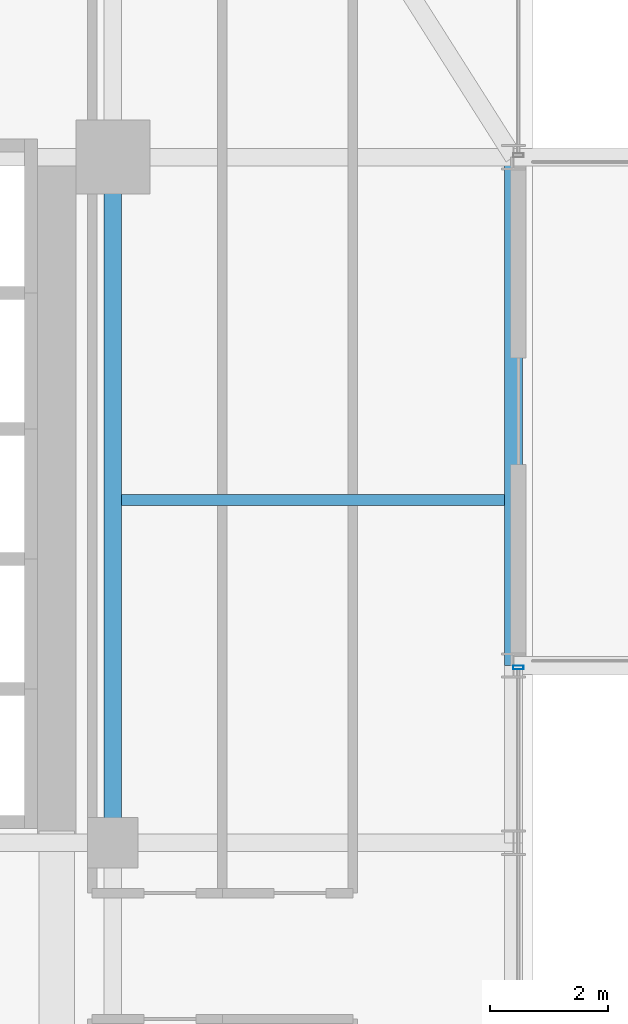
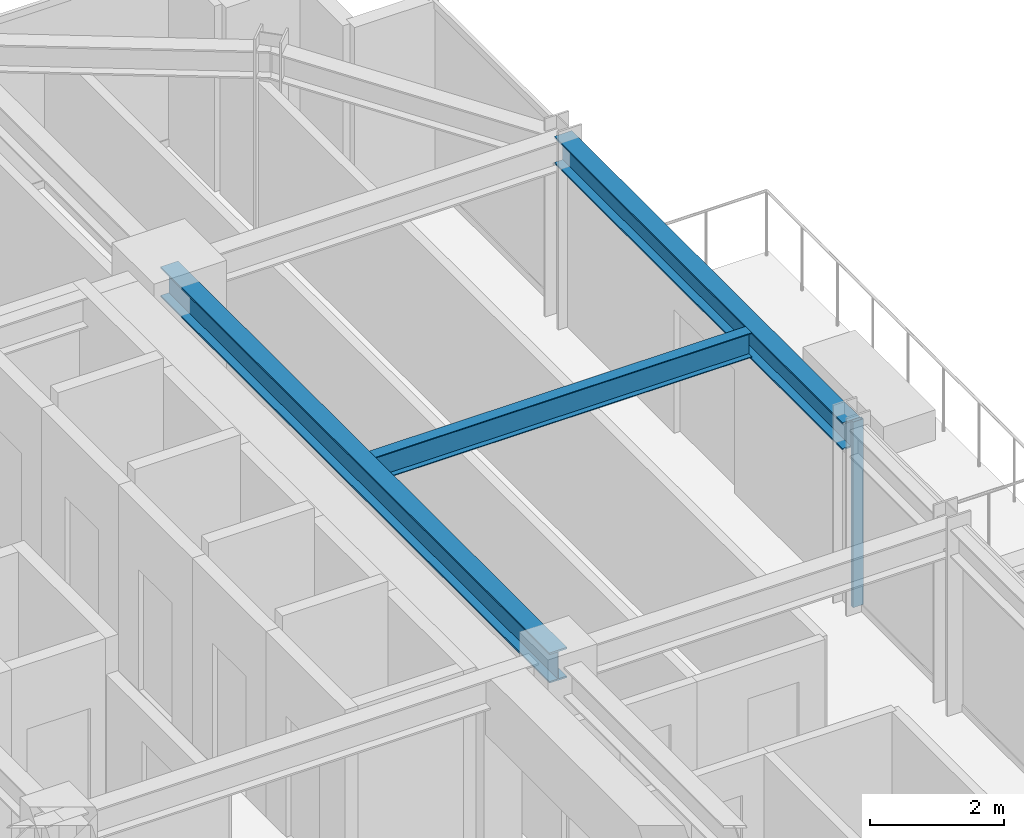
# One storey, part 22 of 33: 3 beams, 1 member, 1 element without a shape of its own.
"""IFC4 building model written with IfcOpenShell, lengths in metres."""

from ifc_helpers import new_model, si_unit, direction, frame, origin, origin_2d, place, context, subcontext, project, spatial, hollow_rectangle, i_section, extrude, source, transform, mapped, material, material_profile, profile_set, type_object, element, aggregate, save


model = new_model("IFC4")

# Units and contexts
model_context = context("Model", 3, precision=1e-05, world=origin(), true_north=direction((0.0, 1.0)))
body_context = subcontext(model_context, "Body", "Model", "MODEL_VIEW")
ifc_project = project(units=[si_unit("LENGTHUNIT", "METRE"), si_unit("AREAUNIT", "SQUARE_METRE"), si_unit("VOLUMEUNIT", "CUBIC_METRE"), si_unit("PLANEANGLEUNIT", "RADIAN"), si_unit("MASSUNIT", "GRAM", prefix="KILO")], contexts=[model_context])

# Site, building, storey
site_placement = place(None, origin())
site = spatial("IfcSite", under=ifc_project, at=site_placement, CompositionType="ELEMENT")
building_placement = place(site_placement, origin())
building = spatial("IfcBuilding", under=site, at=building_placement, Name="Nahalor Promenade Grand Hotel", CompositionType="ELEMENT")
storey_placement = place(building_placement, frame((0.0, 0.0, 132.10009765625)))
storey = spatial("IfcBuildingStorey", under=building, at=storey_placement, Name="L33", CompositionType="ELEMENT", Elevation=132.10009765625)

# Beams
ifc_material_1 = material(Name="Steel S355JR", Category="steel")
ifc_material_profile_1 = material_profile(ifc_material_1, i_section(OverallWidth=0.3, OverallDepth=0.5, WebThickness=0.0145, FlangeThickness=0.028, at=origin_2d()), Name="HEB 500")
ifc_profile_set_1 = profile_set([ifc_material_profile_1], Name="Steel S355JR")
beam_type_1 = type_object("IfcBeamType", Name="Beam-Spandrel-HEB500", PredefinedType="SPANDREL", material=ifc_profile_set_1)
shared_shape_1 = source(origin(), body_context, "Body", "SweptSolid", [
    extrude(i_section(OverallWidth=0.3, OverallDepth=0.5, WebThickness=0.0145, FlangeThickness=0.028, at=origin_2d()), origin(), (0.0, 0.0, 1.0), 8.60009765625),
])
beam_1_placement = place(storey_placement, frame((23.780029296875, 8.39990234375, 3.1298828125), z_axis=(0.0, 1.0, 0.0), x_axis=(-1.0, 0.0, 0.0)))
element("IfcBeam", 1, at=beam_1_placement, inside=storey, type_object=beam_type_1, Name="BM-L33-SP-E-4", PredefinedType="SPANDREL", context=body_context, shape_type="MappedRepresentation", body=[
    mapped(shared_shape_1, transform((0.0, 0.0, 0.0), scale=1.0)),
])
ifc_material_profile_2 = material_profile(ifc_material_1, i_section(OverallWidth=0.3, OverallDepth=0.55, WebThickness=0.015, FlangeThickness=0.029, at=origin_2d()), Name="HEB 550")
ifc_profile_set_2 = profile_set([ifc_material_profile_2], Name="Steel S355JR")
beam_type_2 = type_object("IfcBeamType", Name="Beam-Girder-HEB550", PredefinedType="BEAM", material=ifc_profile_set_2)
shared_shape_2 = source(origin(), body_context, "Body", "SweptSolid", [
    extrude(i_section(OverallWidth=0.3, OverallDepth=0.55, WebThickness=0.015, FlangeThickness=0.029, at=origin_2d()), origin(), (0.0, 0.0, 1.0), 11.60009765625),
])
beam_2_placement = place(storey_placement, frame((17.0, 5.39990234375, 3.10498046875), z_axis=(0.0, 1.0, 0.0), x_axis=(-1.0, 0.0, 0.0)))
element("IfcBeam", 2, at=beam_2_placement, inside=storey, type_object=beam_type_2, Name="BM-L33-GY-5-3", PredefinedType="BEAM", context=body_context, shape_type="MappedRepresentation", body=[
    mapped(shared_shape_2, transform((0.0, 0.0, 0.0), scale=1.0)),
])
ifc_material_profile_3 = material_profile(ifc_material_1, i_section(OverallWidth=0.19, OverallDepth=0.45, WebThickness=0.0094, FlangeThickness=0.0146, at=origin_2d()), Name="IPE 450")
ifc_profile_set_3 = profile_set([ifc_material_profile_3], Name="Steel S355JR")
beam_type_3 = type_object("IfcBeamType", Name="Beam-Joist-IPE450", PredefinedType="JOIST", material=ifc_profile_set_3)
shared_shape_3 = source(origin(), body_context, "Body", "SweptSolid", [
    extrude(i_section(OverallWidth=0.19, OverallDepth=0.45, WebThickness=0.0094, FlangeThickness=0.0146, at=origin_2d()), origin(), (0.0, 0.0, 1.0), 6.47998046875),
])
beam_3_placement = place(storey_placement, frame((17.14990234375, 11.199951171875, 3.15478515625), z_axis=(1.0, 0.0, 0.0), x_axis=(0.0, 1.0, 0.0)))
element("IfcBeam", 3, at=beam_3_placement, inside=storey, type_object=beam_type_3, Name="BM-L33-JSE-1-2", PredefinedType="JOIST", context=body_context, shape_type="MappedRepresentation", body=[
    mapped(shared_shape_3, transform((0.0, 0.0, 0.0), scale=1.0)),
])

# Curtain wall, member
ifc_material_2 = material(Name="Anodised Bronze Aluminium EN AW-6063 T6", Category="aluminium")
curtain_wall_type = type_object("IfcCurtainWallType", Name="CW2 Typical Hotel Flush Bronze Unitised Curtain Wall", PredefinedType="USERDEFINED", material=ifc_material_2)
curtain_wall_placement = place(storey_placement, origin())
curtain_wall = element("IfcCurtainWall", 4, at=curtain_wall_placement, inside=storey, type_object=curtain_wall_type, Name="L33 Curtain Wall CW-L33-E-1", ObjectType="UNITISED_CURTAIN_WALL", PredefinedType="USERDEFINED")
ifc_material_profile_4 = material_profile(ifc_material_2, hollow_rectangle(XDim=0.065, YDim=0.18, WallThickness=0.004, at=origin_2d()), Name="CWM 65x180x4")
ifc_profile_set_4 = profile_set([ifc_material_profile_4], Name="Anodised Bronze Aluminium EN AW-6063 T6")
member_type = type_object("IfcMemberType", Name="CWM2 Typical Bronze Mullion 65x180", PredefinedType="MULLION", material=ifc_profile_set_4)
shared_shape_4 = source(origin(), body_context, "Body", "SweptSolid", [
    extrude(hollow_rectangle(XDim=0.065, YDim=0.18, WallThickness=0.004, at=origin_2d()), origin(), (0.0, 0.0, 1.0), 3.3798828125),
])
member_placement = place(storey_placement, frame((23.860107421875, 8.367431640625, 0.0), z_axis=(0.0, 0.0, 1.0), x_axis=(0.0, 1.0, 0.0)))
member = element("IfcMember", 5, at=member_placement, type_object=member_type, Name="CW-L33-E-1 Mullion 3", PredefinedType="MULLION", context=body_context, shape_type="MappedRepresentation", body=[
    mapped(shared_shape_4, transform((0.0, 0.0, 0.0), scale=1.0)),
])
aggregate(curtain_wall, [member])

save(model, "model.ifc")
